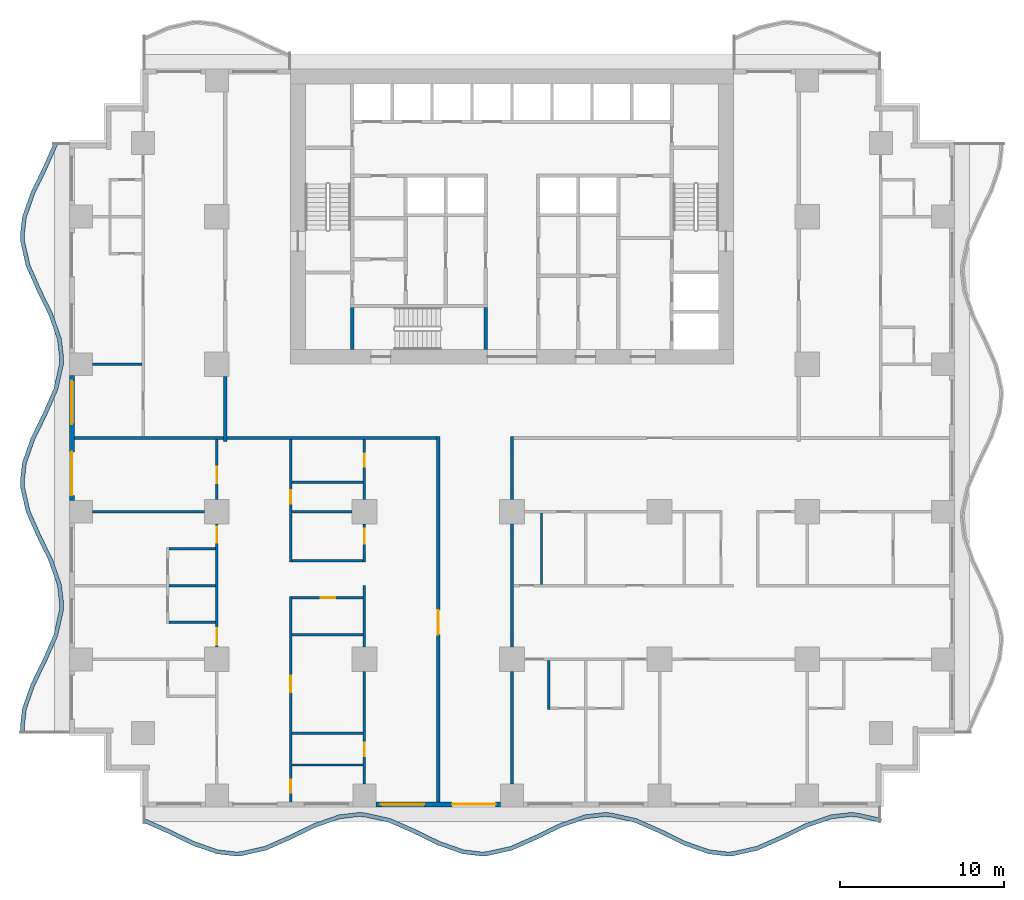
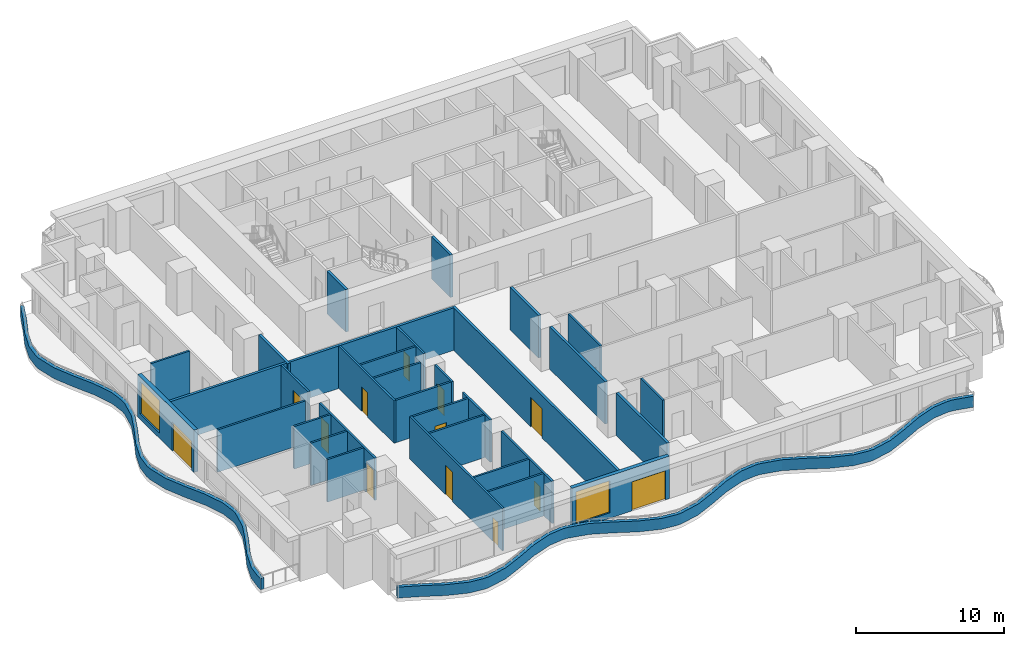
# One storey, part 2 of 14: 35 walls, 13 doors, 2 windows, 15 openings.
"""IFC4 building model written with IfcOpenShell, lengths in metres."""

from ifc_helpers import new_model, si_unit, direction, frame, frame_2d, origin, place, context, subcontext, project, spatial, polyline, rectangle, outline, extrude, material, layer, layer_set, type_object, element, fill, save


model = new_model("IFC4")

# Units and contexts
model_context = context("Model", 3, precision=1e-05, world=origin(), true_north=direction((0.0, 1.0)))
body_context = subcontext(model_context, "Body", "Model", "MODEL_VIEW")
ifc_project = project(units=[si_unit("LENGTHUNIT", "METRE"), si_unit("AREAUNIT", "SQUARE_METRE"), si_unit("VOLUMEUNIT", "CUBIC_METRE"), si_unit("PLANEANGLEUNIT", "RADIAN"), si_unit("MASSUNIT", "GRAM", prefix="KILO")], contexts=[model_context])

# Site, building, storey
site_placement = place(None, origin())
site = spatial("IfcSite", under=ifc_project, at=site_placement, CompositionType="ELEMENT")
building_placement = place(site_placement, origin())
building = spatial("IfcBuilding", under=site, at=building_placement, Name="Orbiselva Terraces", CompositionType="ELEMENT")
storey_placement = place(building_placement, frame((0.0, 0.0, 41.6)))
storey = spatial("IfcBuildingStorey", under=building, at=storey_placement, Name="L10", CompositionType="ELEMENT", Elevation=41.6)

# Walls
ifc_material_1 = material(Name="Concrete C60/75", Category="concrete")
ifc_layer_1 = layer(ifc_material_1, 0.2)
ifc_layer_set_1 = layer_set([ifc_layer_1], Name="Concrete C60/75")
wall_type_1 = type_object("IfcWallType", Name="CORE-WALL-SHEAR-200", PredefinedType="SHEAR", material=ifc_layer_set_1)
for number, where, z_axis, x_axis, name in (
    (1, (-9.75, 5.4, 0.0), (0.0, 0.0, 1.0), (0.0, 1.0, 0.0), "L10 core wall 03"),
    (2, (-1.6, 5.4, 0.0), (0.0, 0.0, 1.0), (0.0, 1.0, 0.0), "L10 core wall 25"),
):
    element("IfcWall", number, at=place(storey_placement, frame(where, z_axis=z_axis, x_axis=x_axis)), inside=storey, type_object=wall_type_1, Name=name, PredefinedType="SHEAR", context=body_context, shape_type="SweptSolid", body=[
        extrude(rectangle(XDim=2.55, YDim=0.2, at=frame_2d((1.275, 0.0))), origin(), (0.0, 0.0, 1.0), 3.5),
    ])
ifc_material_2 = material(Name="Concrete C40/50", Category="concrete")
ifc_layer_2 = layer(ifc_material_2, 0.25)
ifc_layer_set_2 = layer_set([ifc_layer_2], Name="Concrete C40/50")
wall_type_2 = type_object("IfcWallType", Name="ENV-PLANTER-250x900", PredefinedType="USERDEFINED", material=ifc_layer_set_2)
wall_1_placement = place(storey_placement, origin())
element("IfcWall", 3, at=wall_1_placement, inside=storey, type_object=wall_type_2, Name="Balcony planter L10 S", ObjectType="PLANTER", PredefinedType="USERDEFINED", context=body_context, shape_type="SweptSolid", body=[
    extrude(outline(polyline([(-22.5, -23.451472), (-21.0, -24.112279), (-19.5, -24.844789), (-18.0, -25.369208), (-16.875, -25.5), (-16.5, -25.485226), (-15.0, -25.148528), (-13.5, -24.487721), (-12.0, -23.755211), (-10.5, -23.230792), (-9.375, -23.1), (-9.0, -23.114774), (-7.5, -23.451472), (-6.0, -24.112279), (-4.5, -24.844789), (-3.0, -25.369208), (-1.875, -25.5), (-1.5, -25.485226), (0.0, -25.148528), (1.5, -24.487721), (3.0, -23.755211), (4.5, -23.230792), (5.625, -23.1), (6.0, -23.114774), (7.5, -23.451472), (9.0, -24.112279), (10.5, -24.844789), (12.0, -25.369208), (13.125, -25.5), (13.5, -25.485226), (15.0, -25.148528), (16.5, -24.487721), (18.0, -23.755211), (19.5, -23.230792), (20.625, -23.1), (21.0, -23.114774), (22.5, -23.451472), (22.554754, -23.207542), (21.032565, -22.865863), (20.615428, -22.849429), (19.443629, -22.985662), (17.90356, -23.524089), (16.394714, -24.260919), (14.921492, -24.90993), (13.467435, -25.236315), (13.134572, -25.249429), (12.056371, -25.124078), (10.59644, -24.613667), (9.105286, -23.885477), (7.578508, -23.212874), (6.032565, -22.865863), (5.615428, -22.849429), (4.443629, -22.985662), (2.90356, -23.524089), (1.394714, -24.260919), (-0.078508, -24.90993), (-1.532565, -25.236315), (-1.865428, -25.249429), (-2.943629, -25.124078), (-4.40356, -24.613667), (-5.894714, -23.885477), (-7.421492, -23.212874), (-8.967435, -22.865863), (-9.384572, -22.849429), (-10.556371, -22.985662), (-12.09644, -23.524089), (-13.605286, -24.260919), (-15.078508, -24.90993), (-16.532565, -25.236315), (-16.865428, -25.249429), (-17.943629, -25.124078), (-19.40356, -24.613667), (-20.894714, -23.885477), (-22.399212, -23.222689), (-22.5, -23.451472)])), origin(), (0.0, 0.0, 1.0), 0.9),
])
wall_2_placement = place(storey_placement, origin())
element("IfcWall", 4, at=wall_2_placement, inside=storey, type_object=wall_type_2, Name="Balcony planter L10 W", ObjectType="PLANTER", PredefinedType="USERDEFINED", context=body_context, shape_type="SweptSolid", body=[
    extrude(outline(polyline([(-27.951472, 18.0), (-28.612279, 16.5), (-29.344789, 15.0), (-29.869208, 13.5), (-30.0, 12.375), (-29.985226, 12.0), (-29.648528, 10.5), (-28.987721, 9.0), (-28.255211, 7.5), (-27.730792, 6.0), (-27.6, 4.875), (-27.614774, 4.5), (-27.951472, 3.0), (-28.612279, 1.5), (-29.344789, 0.0), (-29.869208, -1.5), (-30.0, -2.625), (-29.985226, -3.0), (-29.648528, -4.5), (-28.987721, -6.0), (-28.255211, -7.5), (-27.730792, -9.0), (-27.6, -10.125), (-27.614774, -10.5), (-27.951472, -12.0), (-28.612279, -13.5), (-29.344789, -15.0), (-29.869208, -16.5), (-30.0, -17.625), (-29.985226, -18.0), (-29.73542, -17.990158), (-29.749429, -17.634572), (-29.624078, -16.556371), (-29.113667, -15.09644), (-28.385477, -13.605286), (-27.712874, -12.078508), (-27.365863, -10.532565), (-27.349429, -10.115428), (-27.485662, -8.943629), (-28.024089, -7.40356), (-28.760919, -5.894714), (-29.40993, -4.421492), (-29.736315, -2.967435), (-29.749429, -2.634572), (-29.624078, -1.556371), (-29.113667, -0.09644), (-28.385477, 1.394714), (-27.712874, 2.921492), (-27.365863, 4.467435), (-27.349429, 4.884572), (-27.485662, 6.056371), (-28.024089, 7.59644), (-28.760919, 9.105286), (-29.40993, 10.578508), (-29.736315, 12.032565), (-29.749429, 12.365428), (-29.624078, 13.443629), (-29.113667, 14.90356), (-28.385477, 16.394714), (-27.722689, 17.899212), (-27.951472, 18.0)])), origin(), (0.0, 0.0, 1.0), 0.9),
])

# Wall, openings, door, window
ifc_material_3 = material(Name="Terracotta cladding on masonry backing", Category="masonry")
ifc_layer_3 = layer(ifc_material_3, 0.3)
ifc_layer_set_3 = layer_set([ifc_layer_3], Name="Terracotta cladding on masonry backing")
wall_type_3 = type_object("IfcWallType", Name="ENV-WALL-TERRACOTTA-300", PredefinedType="SOLIDWALL", material=ifc_layer_set_3)
wall_3_placement = place(storey_placement, frame((-0.7, -22.35, 0.0), z_axis=(0.0, 0.0, 1.0), x_axis=(-1.0, 0.0, 0.0)))
wall_3 = element("IfcWall", 5, at=wall_3_placement, inside=storey, type_object=wall_type_3, Name="Facade wall L10 S", PredefinedType="SOLIDWALL", context=body_context, shape_type="SweptSolid", body=[
    extrude(rectangle(XDim=7.6, YDim=0.3, at=frame_2d((3.8, 0.0))), origin(), (0.0, 0.0, 1.0), 3.5),
])
opening_1_placement = place(wall_3_placement, frame((4.65, 0.0, 0.45)))
opening_1 = element("IfcOpeningElement", 6, at=opening_1_placement, cuts=wall_3, Name="Opening WN3", PredefinedType="OPENING", context=body_context, shape_type="SweptSolid", body=[
    extrude(rectangle(XDim=2.65, YDim=2.65, at=frame_2d((1.325, 1.325))), frame((0.0, 0.16, 0.0), z_axis=(0.0, -1.0, 0.0), x_axis=(1.0, 0.0, 0.0)), (0.0, 0.0, 1.0), 0.32),
])
opening_2_placement = place(wall_3_placement, frame((0.3, 0.0, 0.0)))
opening_2 = element("IfcOpeningElement", 7, at=opening_2_placement, cuts=wall_3, Name="Opening Z1-C-E14", PredefinedType="OPENING", context=body_context, shape_type="SweptSolid", body=[
    extrude(rectangle(XDim=2.65, YDim=2.4, at=frame_2d((1.325, 1.2))), frame((0.0, 0.16, 0.0), z_axis=(0.0, -1.0, 0.0), x_axis=(1.0, 0.0, 0.0)), (0.0, 0.0, 1.0), 0.32),
])
ifc_material_4 = material(Name="Clear low-e glazing in aluminium frame", Category="aluminium")
door_type_1 = type_object("IfcDoorType", Name="BALCONY DOOR 2650 X 2400", OperationType="DOUBLE_DOOR_SLIDING", PredefinedType="DOOR", material=ifc_material_4)
door_1_placement = place(opening_2_placement, origin())
door_1 = element("IfcDoor", 8, at=door_1_placement, inside=storey, type_object=door_type_1, Name="Z1-C-E14", OperationType="SINGLE_SWING_LEFT", OverallHeight=2.4, OverallWidth=2.65, PredefinedType="DOOR", context=body_context, shape_type="SweptSolid", body=[
    extrude(rectangle(XDim=2.65, YDim=2.4, at=frame_2d((1.325, 1.2))), frame((0.0, 0.025, 0.0), z_axis=(0.0, -1.0, 0.0), x_axis=(1.0, 0.0, 0.0)), (0.0, 0.0, 1.0), 0.05),
])
fill(opening_2, door_1)
window_type = type_object("IfcWindowType", Name="WINDOW 2650 X 2650 S450", PartitioningType="TRIPLE_PANEL_VERTICAL", PredefinedType="WINDOW", material=ifc_material_4)
window_1_placement = place(opening_1_placement, origin())
window_1 = element("IfcWindow", 9, at=window_1_placement, inside=storey, type_object=window_type, Name="Window L10 S", OverallHeight=2.65, OverallWidth=2.65, PartitioningType="SINGLE_PANEL", PredefinedType="WINDOW", context=body_context, shape_type="SweptSolid", body=[
    extrude(rectangle(XDim=2.65, YDim=2.65, at=frame_2d((1.325, 1.325))), frame((0.0, 0.03, 0.0), z_axis=(0.0, -1.0, 0.0), x_axis=(1.0, 0.0, 0.0)), (0.0, 0.0, 1.0), 0.06),
])
fill(opening_1, window_1)

wall_4_placement = place(storey_placement, frame((-26.85, -3.8, 0.0), z_axis=(0.0, 0.0, 1.0), x_axis=(0.0, 1.0, 0.0)))
wall_4 = element("IfcWall", 10, at=wall_4_placement, inside=storey, type_object=wall_type_3, Name="Facade wall L10 W", PredefinedType="SOLIDWALL", context=body_context, shape_type="SweptSolid", body=[
    extrude(rectangle(XDim=7.6, YDim=0.3, at=frame_2d((3.8, 0.0))), origin(), (0.0, 0.0, 1.0), 3.5),
])
opening_3_placement = place(wall_4_placement, frame((4.65, 0.0, 0.45)))
opening_3 = element("IfcOpeningElement", 11, at=opening_3_placement, cuts=wall_4, Name="Opening WN3", PredefinedType="OPENING", context=body_context, shape_type="SweptSolid", body=[
    extrude(rectangle(XDim=2.65, YDim=2.65, at=frame_2d((1.325, 1.325))), frame((0.0, 0.16, 0.0), z_axis=(0.0, -1.0, 0.0), x_axis=(1.0, 0.0, 0.0)), (0.0, 0.0, 1.0), 0.32),
])
opening_4_placement = place(wall_4_placement, frame((0.3, 0.0, 0.0)))
opening_4 = element("IfcOpeningElement", 12, at=opening_4_placement, cuts=wall_4, Name="Opening Z1-C-E23", PredefinedType="OPENING", context=body_context, shape_type="SweptSolid", body=[
    extrude(rectangle(XDim=2.65, YDim=2.4, at=frame_2d((1.325, 1.2))), frame((0.0, 0.16, 0.0), z_axis=(0.0, -1.0, 0.0), x_axis=(1.0, 0.0, 0.0)), (0.0, 0.0, 1.0), 0.32),
])
door_2_placement = place(opening_4_placement, origin())
door_2 = element("IfcDoor", 13, at=door_2_placement, inside=storey, type_object=door_type_1, Name="Z1-C-E23", OperationType="SINGLE_SWING_LEFT", OverallHeight=2.4, OverallWidth=2.65, PredefinedType="DOOR", context=body_context, shape_type="SweptSolid", body=[
    extrude(rectangle(XDim=2.65, YDim=2.4, at=frame_2d((1.325, 1.2))), frame((0.0, 0.025, 0.0), z_axis=(0.0, -1.0, 0.0), x_axis=(1.0, 0.0, 0.0)), (0.0, 0.0, 1.0), 0.05),
])
fill(opening_4, door_2)
window_2_placement = place(opening_3_placement, origin())
window_2 = element("IfcWindow", 14, at=window_2_placement, inside=storey, type_object=window_type, Name="Window L10 W", OverallHeight=2.65, OverallWidth=2.65, PartitioningType="SINGLE_PANEL", PredefinedType="WINDOW", context=body_context, shape_type="SweptSolid", body=[
    extrude(rectangle(XDim=2.65, YDim=2.65, at=frame_2d((1.325, 1.325))), frame((0.0, 0.03, 0.0), z_axis=(0.0, -1.0, 0.0), x_axis=(1.0, 0.0, 0.0)), (0.0, 0.0, 1.0), 0.06),
])
fill(opening_3, window_2)

# Walls
ifc_material_5 = material(Name="Plasterboard on steel stud partition", Category="steel")
ifc_layer_4 = layer(ifc_material_5, 0.2)
ifc_layer_set_4 = layer_set([ifc_layer_4], Name="Plasterboard on steel stud partition")
wall_type_4 = type_object("IfcWallType", Name="UNIT-ENTRANCE-WALL-200", PredefinedType="PARTITIONING", material=ifc_layer_set_4)
wall_5_placement = place(storey_placement, frame((-17.4, 0.0, 0.0), z_axis=(0.0, 0.0, 1.0), x_axis=(1.0, 0.0, 0.0)))
element("IfcWall", 15, at=wall_5_placement, inside=storey, type_object=wall_type_4, Name="PARTITION L10-027", PredefinedType="PARTITIONING", context=body_context, shape_type="SweptSolid", body=[
    extrude(rectangle(XDim=12.8, YDim=0.2, at=frame_2d((6.4, 0.0))), origin(), (0.0, 0.0, 1.0), 3.5),
])
wall_6_placement = place(storey_placement, frame((-17.5, -0.2, 0.0), z_axis=(0.0, 0.0, 1.0), x_axis=(0.0, 1.0, 0.0)))
element("IfcWall", 16, at=wall_6_placement, inside=storey, type_object=wall_type_4, Name="PARTITION L10-048", PredefinedType="PARTITIONING", context=body_context, shape_type="SweptSolid", body=[
    extrude(rectangle(XDim=3.95, YDim=0.2, at=frame_2d((1.975, 0.0))), origin(), (0.0, 0.0, 1.0), 3.5),
])

# Wall, opening, door
wall_7_placement = place(storey_placement, frame((-4.5, -22.2, 0.0), z_axis=(0.0, 0.0, 1.0), x_axis=(0.0, 1.0, 0.0)))
wall_7 = element("IfcWall", 17, at=wall_7_placement, inside=storey, type_object=wall_type_4, Name="PARTITION L10-057", PredefinedType="PARTITIONING", context=body_context, shape_type="SweptSolid", body=[
    extrude(rectangle(XDim=22.3, YDim=0.2, at=frame_2d((11.15, 0.0))), origin(), (0.0, 0.0, 1.0), 3.5),
])
opening_5_placement = place(wall_7_placement, frame((10.2, 0.0, 0.0)))
opening_5 = element("IfcOpeningElement", 18, at=opening_5_placement, cuts=wall_7, Name="Opening Z1-C-13", PredefinedType="OPENING", context=body_context, shape_type="SweptSolid", body=[
    extrude(rectangle(XDim=1.5, YDim=2.4, at=frame_2d((0.75, 1.2))), frame((0.0, 0.11, 0.0), z_axis=(0.0, -1.0, 0.0), x_axis=(1.0, 0.0, 0.0)), (0.0, 0.0, 1.0), 0.22),
])
ifc_material_6 = material(Name="Painted timber door leaf", Category="wood")
door_type_2 = type_object("IfcDoorType", Name="ENTRANCE DOUBLE DOOR 1500", OperationType="NOTDEFINED", PredefinedType="DOOR", material=ifc_material_6)
door_3_placement = place(opening_5_placement, origin())
door_3 = element("IfcDoor", 19, at=door_3_placement, inside=storey, type_object=door_type_2, Name="Z1-C-13", OperationType="DOUBLE_DOOR_SINGLE_SWING", OverallHeight=2.4, OverallWidth=1.5, PredefinedType="DOOR", context=body_context, shape_type="SweptSolid", body=[
    extrude(rectangle(XDim=1.5, YDim=2.4, at=frame_2d((0.75, 1.2))), frame((0.0, 0.025, 0.0), z_axis=(0.0, -1.0, 0.0), x_axis=(1.0, 0.0, 0.0)), (0.0, 0.0, 1.0), 0.05),
])
fill(opening_5, door_3)

# Walls
wall_8_placement = place(storey_placement, frame((0.0, -21.1, 0.0), z_axis=(0.0, 0.0, 1.0), x_axis=(0.0, 1.0, 0.0)))
element("IfcWall", 20, at=wall_8_placement, inside=storey, type_object=wall_type_4, Name="PARTITION L10-058", PredefinedType="PARTITIONING", context=body_context, shape_type="SweptSolid", body=[
    extrude(rectangle(XDim=6.85, YDim=0.2, at=frame_2d((3.425, 0.0))), origin(), (0.0, 0.0, 1.0), 3.5),
])
wall_9_placement = place(storey_placement, frame((0.0, -12.75, 0.0), z_axis=(0.0, 0.0, 1.0), x_axis=(0.0, 1.0, 0.0)))
element("IfcWall", 21, at=wall_9_placement, inside=storey, type_object=wall_type_4, Name="PARTITION L10-059", PredefinedType="PARTITIONING", context=body_context, shape_type="SweptSolid", body=[
    extrude(rectangle(XDim=7.5, YDim=0.2, at=frame_2d((3.75, 0.0))), origin(), (0.0, 0.0, 1.0), 3.5),
])
wall_10_placement = place(storey_placement, frame((0.0, -3.75, 0.0), z_axis=(0.0, 0.0, 1.0), x_axis=(0.0, 1.0, 0.0)))
element("IfcWall", 22, at=wall_10_placement, inside=storey, type_object=wall_type_4, Name="PARTITION L10-060", PredefinedType="PARTITIONING", context=body_context, shape_type="SweptSolid", body=[
    extrude(rectangle(XDim=3.85, YDim=0.2, at=frame_2d((1.925, 0.0))), origin(), (0.0, 0.0, 1.0), 3.5),
])
ifc_layer_5 = layer(ifc_material_5, 0.15)
ifc_layer_set_5 = layer_set([ifc_layer_5], Name="Plasterboard on steel stud partition")
wall_type_5 = type_object("IfcWallType", Name="UNIT-PARTITION-150", PredefinedType="PARTITIONING", material=ifc_layer_set_5)
for number, where, z_axis, x_axis, name in (
    (23, (-13.425, -19.95, 0.0), (0.0, 0.0, 1.0), (1.0, 0.0, 0.0), "PARTITION L10-001"),
    (24, (-13.425, -18.0, 0.0), (0.0, 0.0, 1.0), (1.0, 0.0, 0.0), "PARTITION L10-002"),
    (25, (-13.425, -12.0, 0.0), (0.0, 0.0, 1.0), (1.0, 0.0, 0.0), "PARTITION L10-011"),
):
    element("IfcWall", number, at=place(storey_placement, frame(where, z_axis=z_axis, x_axis=x_axis)), inside=storey, type_object=wall_type_5, Name=name, PredefinedType="PARTITIONING", context=body_context, shape_type="SweptSolid", body=[
        extrude(rectangle(XDim=4.35, YDim=0.15, at=frame_2d((2.175, 0.0))), origin(), (0.0, 0.0, 1.0), 3.5),
    ])
wall_11_placement = place(storey_placement, frame((-20.925, -11.25, 0.0), z_axis=(0.0, 0.0, 1.0), x_axis=(1.0, 0.0, 0.0)))
element("IfcWall", 26, at=wall_11_placement, inside=storey, type_object=wall_type_5, Name="PARTITION L10-012", PredefinedType="PARTITIONING", context=body_context, shape_type="SweptSolid", body=[
    extrude(rectangle(XDim=2.85, YDim=0.15, at=frame_2d((1.425, 0.0))), origin(), (0.0, 0.0, 1.0), 3.5),
])

# Wall, opening, door
wall_12_placement = place(storey_placement, frame((-9.075, -9.75, 0.0), z_axis=(0.0, 0.0, 1.0), x_axis=(-1.0, 0.0, 0.0)))
wall_12 = element("IfcWall", 27, at=wall_12_placement, inside=storey, type_object=wall_type_5, Name="PARTITION L10-013", PredefinedType="PARTITIONING", context=body_context, shape_type="SweptSolid", body=[
    extrude(rectangle(XDim=4.35, YDim=0.15, at=frame_2d((2.175, 0.0))), origin(), (0.0, 0.0, 1.0), 3.5),
])
opening_6_placement = place(wall_12_placement, frame((1.7, 0.0, 0.0)))
opening_6 = element("IfcOpeningElement", 28, at=opening_6_placement, cuts=wall_12, Name="Opening Z1-C-17", PredefinedType="OPENING", context=body_context, shape_type="SweptSolid", body=[
    extrude(rectangle(XDim=0.9, YDim=2.1, at=frame_2d((0.45, 1.05))), frame((0.0, 0.085, 0.0), z_axis=(0.0, -1.0, 0.0), x_axis=(1.0, 0.0, 0.0)), (0.0, 0.0, 1.0), 0.17),
])
door_type_3 = type_object("IfcDoorType", Name="BATH DOOR 900", OperationType="NOTDEFINED", PredefinedType="DOOR", material=ifc_material_6)
door_4_placement = place(opening_6_placement, origin())
door_4 = element("IfcDoor", 29, at=door_4_placement, inside=storey, type_object=door_type_3, Name="Z1-C-17", OperationType="SINGLE_SWING_LEFT", OverallHeight=2.1, OverallWidth=0.9, PredefinedType="DOOR", context=body_context, shape_type="SweptSolid", body=[
    extrude(rectangle(XDim=0.9, YDim=2.1, at=frame_2d((0.45, 1.05))), frame((0.0, 0.025, 0.0), z_axis=(0.0, -1.0, 0.0), x_axis=(1.0, 0.0, 0.0)), (0.0, 0.0, 1.0), 0.05),
])
fill(opening_6, door_4)

# Walls
wall_13_placement = place(storey_placement, frame((-20.925, -9.0, 0.0), z_axis=(0.0, 0.0, 1.0), x_axis=(1.0, 0.0, 0.0)))
element("IfcWall", 30, at=wall_13_placement, inside=storey, type_object=wall_type_5, Name="PARTITION L10-015", PredefinedType="PARTITIONING", context=body_context, shape_type="SweptSolid", body=[
    extrude(rectangle(XDim=2.85, YDim=0.15, at=frame_2d((1.425, 0.0))), origin(), (0.0, 0.0, 1.0), 3.5),
])
wall_14_placement = place(storey_placement, frame((-13.425, -7.5, 0.0), z_axis=(0.0, 0.0, 1.0), x_axis=(1.0, 0.0, 0.0)))
element("IfcWall", 31, at=wall_14_placement, inside=storey, type_object=wall_type_5, Name="PARTITION L10-018", PredefinedType="PARTITIONING", context=body_context, shape_type="SweptSolid", body=[
    extrude(rectangle(XDim=4.35, YDim=0.15, at=frame_2d((2.175, 0.0))), origin(), (0.0, 0.0, 1.0), 3.5),
])
wall_15_placement = place(storey_placement, frame((-20.925, -6.75, 0.0), z_axis=(0.0, 0.0, 1.0), x_axis=(1.0, 0.0, 0.0)))
element("IfcWall", 32, at=wall_15_placement, inside=storey, type_object=wall_type_5, Name="PARTITION L10-019", PredefinedType="PARTITIONING", context=body_context, shape_type="SweptSolid", body=[
    extrude(rectangle(XDim=2.85, YDim=0.15, at=frame_2d((1.425, 0.0))), origin(), (0.0, 0.0, 1.0), 3.5),
])
wall_16_placement = place(storey_placement, frame((-25.6, -4.5, 0.0), z_axis=(0.0, 0.0, 1.0), x_axis=(1.0, 0.0, 0.0)))
element("IfcWall", 33, at=wall_16_placement, inside=storey, type_object=wall_type_5, Name="PARTITION L10-020", PredefinedType="PARTITIONING", context=body_context, shape_type="SweptSolid", body=[
    extrude(rectangle(XDim=6.85, YDim=0.15, at=frame_2d((3.425, 0.0))), origin(), (0.0, 0.0, 1.0), 3.5),
])
wall_17_placement = place(storey_placement, frame((-13.425, -4.5, 0.0), z_axis=(0.0, 0.0, 1.0), x_axis=(1.0, 0.0, 0.0)))
element("IfcWall", 34, at=wall_17_placement, inside=storey, type_object=wall_type_5, Name="PARTITION L10-021", PredefinedType="PARTITIONING", context=body_context, shape_type="SweptSolid", body=[
    extrude(rectangle(XDim=3.675, YDim=0.15, at=frame_2d((1.8375, 0.0))), origin(), (0.0, 0.0, 1.0), 3.5),
])
wall_18_placement = place(storey_placement, frame((-13.425, -2.7, 0.0), z_axis=(0.0, 0.0, 1.0), x_axis=(1.0, 0.0, 0.0)))
element("IfcWall", 35, at=wall_18_placement, inside=storey, type_object=wall_type_5, Name="PARTITION L10-026", PredefinedType="PARTITIONING", context=body_context, shape_type="SweptSolid", body=[
    extrude(rectangle(XDim=4.35, YDim=0.15, at=frame_2d((2.175, 0.0))), origin(), (0.0, 0.0, 1.0), 3.5),
])
wall_19_placement = place(storey_placement, frame((-25.6, 4.5, 0.0), z_axis=(0.0, 0.0, 1.0), x_axis=(1.0, 0.0, 0.0)))
element("IfcWall", 36, at=wall_19_placement, inside=storey, type_object=wall_type_5, Name="PARTITION L10-031", PredefinedType="PARTITIONING", context=body_context, shape_type="SweptSolid", body=[
    extrude(rectangle(XDim=3.025, YDim=0.15, at=frame_2d((1.5125, 0.0))), origin(), (0.0, 0.0, 1.0), 3.5),
])

# Wall, openings, doors
wall_20_placement = place(storey_placement, frame((-18.0, -12.75, 0.0), z_axis=(0.0, 0.0, 1.0), x_axis=(0.0, 1.0, 0.0)))
wall_20 = element("IfcWall", 37, at=wall_20_placement, inside=storey, type_object=wall_type_5, Name="PARTITION L10-046", PredefinedType="PARTITIONING", context=body_context, shape_type="SweptSolid", body=[
    extrude(rectangle(XDim=7.5, YDim=0.15, at=frame_2d((3.75, 0.0))), origin(), (0.0, 0.0, 1.0), 3.5),
])
opening_7_placement = place(wall_20_placement, frame((0.15, 0.0, 0.0)))
opening_7 = element("IfcOpeningElement", 38, at=opening_7_placement, cuts=wall_20, Name="Opening Z1-C-23", PredefinedType="OPENING", context=body_context, shape_type="SweptSolid", body=[
    extrude(rectangle(XDim=1.0, YDim=2.4, at=frame_2d((0.5, 1.2))), frame((0.0, 0.085, 0.0), z_axis=(0.0, -1.0, 0.0), x_axis=(1.0, 0.0, 0.0)), (0.0, 0.0, 1.0), 0.17),
])
opening_8_placement = place(wall_20_placement, frame((6.35, 0.0, 0.0)))
opening_8 = element("IfcOpeningElement", 39, at=opening_8_placement, cuts=wall_20, Name="Opening Z1-C-25", PredefinedType="OPENING", context=body_context, shape_type="SweptSolid", body=[
    extrude(rectangle(XDim=1.0, YDim=2.4, at=frame_2d((0.5, 1.2))), frame((0.0, 0.085, 0.0), z_axis=(0.0, -1.0, 0.0), x_axis=(1.0, 0.0, 0.0)), (0.0, 0.0, 1.0), 0.17),
])
door_type_4 = type_object("IfcDoorType", Name="ROOM DOOR 1000", OperationType="NOTDEFINED", PredefinedType="DOOR", material=ifc_material_6)
door_5_placement = place(opening_7_placement, origin())
door_5 = element("IfcDoor", 40, at=door_5_placement, inside=storey, type_object=door_type_4, Name="Z1-C-23", OperationType="SINGLE_SWING_LEFT", OverallHeight=2.4, OverallWidth=1.0, PredefinedType="DOOR", context=body_context, shape_type="SweptSolid", body=[
    extrude(rectangle(XDim=1.0, YDim=2.4, at=frame_2d((0.5, 1.2))), frame((0.0, 0.025, 0.0), z_axis=(0.0, -1.0, 0.0), x_axis=(1.0, 0.0, 0.0)), (0.0, 0.0, 1.0), 0.05),
])
fill(opening_7, door_5)
door_6_placement = place(opening_8_placement, origin())
door_6 = element("IfcDoor", 41, at=door_6_placement, inside=storey, type_object=door_type_4, Name="Z1-C-25", OperationType="SINGLE_SWING_RIGHT", OverallHeight=2.4, OverallWidth=1.0, PredefinedType="DOOR", context=body_context, shape_type="SweptSolid", body=[
    extrude(rectangle(XDim=1.0, YDim=2.4, at=frame_2d((0.5, 1.2))), frame((0.0, 0.025, 0.0), z_axis=(0.0, -1.0, 0.0), x_axis=(1.0, 0.0, 0.0)), (0.0, 0.0, 1.0), 0.05),
])
fill(opening_8, door_6)

# Wall, opening, door
wall_21_placement = place(storey_placement, frame((-18.0, -3.75, 0.0), z_axis=(0.0, 0.0, 1.0), x_axis=(0.0, 1.0, 0.0)))
wall_21 = element("IfcWall", 42, at=wall_21_placement, inside=storey, type_object=wall_type_5, Name="PARTITION L10-047", PredefinedType="PARTITIONING", context=body_context, shape_type="SweptSolid", body=[
    extrude(rectangle(XDim=3.65, YDim=0.15, at=frame_2d((1.825, 0.0))), origin(), (0.0, 0.0, 1.0), 3.5),
])
opening_9_placement = place(wall_21_placement, frame((1.0, 0.0, 0.0)))
opening_9 = element("IfcOpeningElement", 43, at=opening_9_placement, cuts=wall_21, Name="Opening Z1-C-27", PredefinedType="OPENING", context=body_context, shape_type="SweptSolid", body=[
    extrude(rectangle(XDim=1.0, YDim=2.4, at=frame_2d((0.5, 1.2))), frame((0.0, 0.085, 0.0), z_axis=(0.0, -1.0, 0.0), x_axis=(1.0, 0.0, 0.0)), (0.0, 0.0, 1.0), 0.17),
])
door_7_placement = place(opening_9_placement, origin())
door_7 = element("IfcDoor", 44, at=door_7_placement, inside=storey, type_object=door_type_4, Name="Z1-C-27", OperationType="SINGLE_SWING_LEFT", OverallHeight=2.4, OverallWidth=1.0, PredefinedType="DOOR", context=body_context, shape_type="SweptSolid", body=[
    extrude(rectangle(XDim=1.0, YDim=2.4, at=frame_2d((0.5, 1.2))), frame((0.0, 0.025, 0.0), z_axis=(0.0, -1.0, 0.0), x_axis=(1.0, 0.0, 0.0)), (0.0, 0.0, 1.0), 0.05),
])
fill(opening_9, door_7)

# Wall, openings, doors
wall_22_placement = place(storey_placement, frame((-13.5, -9.675, 0.0), z_axis=(0.0, 0.0, 1.0), x_axis=(0.0, -1.0, 0.0)))
wall_22 = element("IfcWall", 45, at=wall_22_placement, inside=storey, type_object=wall_type_5, Name="PARTITION L10-051", PredefinedType="PARTITIONING", context=body_context, shape_type="SweptSolid", body=[
    extrude(rectangle(XDim=12.525, YDim=0.15, at=frame_2d((6.2625, 0.0))), origin(), (0.0, 0.0, 1.0), 3.5),
])
opening_10_placement = place(wall_22_placement, frame((11.175, 0.0, 0.0)))
opening_10 = element("IfcOpeningElement", 46, at=opening_10_placement, cuts=wall_22, Name="Opening Z1-C-14", PredefinedType="OPENING", context=body_context, shape_type="SweptSolid", body=[
    extrude(rectangle(XDim=0.8, YDim=2.0, at=frame_2d((0.4, 1.0))), frame((0.0, 0.085, 0.0), z_axis=(0.0, -1.0, 0.0), x_axis=(1.0, 0.0, 0.0)), (0.0, 0.0, 1.0), 0.17),
])
opening_11_placement = place(wall_22_placement, frame((4.825, 0.0, 0.0)))
opening_11 = element("IfcOpeningElement", 47, at=opening_11_placement, cuts=wall_22, Name="Opening Z1-C-16", PredefinedType="OPENING", context=body_context, shape_type="SweptSolid", body=[
    extrude(rectangle(XDim=1.0, YDim=2.4, at=frame_2d((0.5, 1.2))), frame((0.0, 0.085, 0.0), z_axis=(0.0, -1.0, 0.0), x_axis=(1.0, 0.0, 0.0)), (0.0, 0.0, 1.0), 0.17),
])
door_8_placement = place(opening_11_placement, origin())
door_8 = element("IfcDoor", 48, at=door_8_placement, inside=storey, type_object=door_type_4, Name="Z1-C-16", OperationType="SINGLE_SWING_LEFT", OverallHeight=2.4, OverallWidth=1.0, PredefinedType="DOOR", context=body_context, shape_type="SweptSolid", body=[
    extrude(rectangle(XDim=1.0, YDim=2.4, at=frame_2d((0.5, 1.2))), frame((0.0, 0.025, 0.0), z_axis=(0.0, -1.0, 0.0), x_axis=(1.0, 0.0, 0.0)), (0.0, 0.0, 1.0), 0.05),
])
fill(opening_11, door_8)
door_type_5 = type_object("IfcDoorType", Name="STORE DOOR 800", OperationType="NOTDEFINED", PredefinedType="DOOR", material=ifc_material_6)
door_9_placement = place(opening_10_placement, origin())
door_9 = element("IfcDoor", 49, at=door_9_placement, inside=storey, type_object=door_type_5, Name="Z1-C-14", OperationType="SINGLE_SWING_RIGHT", OverallHeight=2.0, OverallWidth=0.8, PredefinedType="DOOR", context=body_context, shape_type="SweptSolid", body=[
    extrude(rectangle(XDim=0.8, YDim=2.0, at=frame_2d((0.4, 1.0))), frame((0.0, 0.025, 0.0), z_axis=(0.0, -1.0, 0.0), x_axis=(1.0, 0.0, 0.0)), (0.0, 0.0, 1.0), 0.05),
])
fill(opening_10, door_9)

# Wall, opening, door
wall_23_placement = place(storey_placement, frame((-13.5, -0.1, 0.0), z_axis=(0.0, 0.0, 1.0), x_axis=(0.0, -1.0, 0.0)))
wall_23 = element("IfcWall", 50, at=wall_23_placement, inside=storey, type_object=wall_type_5, Name="PARTITION L10-052", PredefinedType="PARTITIONING", context=body_context, shape_type="SweptSolid", body=[
    extrude(rectangle(XDim=7.475, YDim=0.15, at=frame_2d((3.7375, 0.0))), origin(), (0.0, 0.0, 1.0), 3.5),
])
opening_12_placement = place(wall_23_placement, frame((3.1, 0.0, 0.0)))
opening_12 = element("IfcOpeningElement", 51, at=opening_12_placement, cuts=wall_23, Name="Opening Z1-C-19", PredefinedType="OPENING", context=body_context, shape_type="SweptSolid", body=[
    extrude(rectangle(XDim=0.8, YDim=2.0, at=frame_2d((0.4, 1.0))), frame((0.0, 0.085, 0.0), z_axis=(0.0, -1.0, 0.0), x_axis=(1.0, 0.0, 0.0)), (0.0, 0.0, 1.0), 0.17),
])
door_10_placement = place(opening_12_placement, origin())
door_10 = element("IfcDoor", 52, at=door_10_placement, inside=storey, type_object=door_type_5, Name="Z1-C-19", OperationType="SINGLE_SWING_LEFT", OverallHeight=2.0, OverallWidth=0.8, PredefinedType="DOOR", context=body_context, shape_type="SweptSolid", body=[
    extrude(rectangle(XDim=0.8, YDim=2.0, at=frame_2d((0.4, 1.0))), frame((0.0, 0.025, 0.0), z_axis=(0.0, -1.0, 0.0), x_axis=(1.0, 0.0, 0.0)), (0.0, 0.0, 1.0), 0.05),
])
fill(opening_12, door_10)

wall_24_placement = place(storey_placement, frame((-9.0, -21.1, 0.0), z_axis=(0.0, 0.0, 1.0), x_axis=(0.0, 1.0, 0.0)))
wall_24 = element("IfcWall", 53, at=wall_24_placement, inside=storey, type_object=wall_type_5, Name="PARTITION L10-053", PredefinedType="PARTITIONING", context=body_context, shape_type="SweptSolid", body=[
    extrude(rectangle(XDim=6.85, YDim=0.15, at=frame_2d((3.425, 0.0))), origin(), (0.0, 0.0, 1.0), 3.5),
])
opening_13_placement = place(wall_24_placement, frame((1.7, 0.0, 0.0)))
opening_13 = element("IfcOpeningElement", 54, at=opening_13_placement, cuts=wall_24, Name="Opening Z1-C-15", PredefinedType="OPENING", context=body_context, shape_type="SweptSolid", body=[
    extrude(rectangle(XDim=0.8, YDim=2.0, at=frame_2d((0.4, 1.0))), frame((0.0, 0.085, 0.0), z_axis=(0.0, -1.0, 0.0), x_axis=(1.0, 0.0, 0.0)), (0.0, 0.0, 1.0), 0.17),
])
door_11_placement = place(opening_13_placement, origin())
door_11 = element("IfcDoor", 55, at=door_11_placement, inside=storey, type_object=door_type_5, Name="Z1-C-15", OperationType="SINGLE_SWING_LEFT", OverallHeight=2.0, OverallWidth=0.8, PredefinedType="DOOR", context=body_context, shape_type="SweptSolid", body=[
    extrude(rectangle(XDim=0.8, YDim=2.0, at=frame_2d((0.4, 1.0))), frame((0.0, 0.025, 0.0), z_axis=(0.0, -1.0, 0.0), x_axis=(1.0, 0.0, 0.0)), (0.0, 0.0, 1.0), 0.05),
])
fill(opening_13, door_11)

# Wall
wall_25_placement = place(storey_placement, frame((-9.0, -12.75, 0.0), z_axis=(0.0, 0.0, 1.0), x_axis=(0.0, 1.0, 0.0)))
element("IfcWall", 56, at=wall_25_placement, inside=storey, type_object=wall_type_5, Name="PARTITION L10-054", PredefinedType="PARTITIONING", context=body_context, shape_type="SweptSolid", body=[
    extrude(rectangle(XDim=3.75, YDim=0.15, at=frame_2d((1.875, 0.0))), origin(), (0.0, 0.0, 1.0), 3.5),
])

# Wall, opening, door
wall_26_placement = place(storey_placement, frame((-9.0, -7.575, 0.0), z_axis=(0.0, 0.0, 1.0), x_axis=(0.0, 1.0, 0.0)))
wall_26 = element("IfcWall", 57, at=wall_26_placement, inside=storey, type_object=wall_type_5, Name="PARTITION L10-055", PredefinedType="PARTITIONING", context=body_context, shape_type="SweptSolid", body=[
    extrude(rectangle(XDim=2.325, YDim=0.15, at=frame_2d((1.1625, 0.0))), origin(), (0.0, 0.0, 1.0), 3.5),
])
opening_14_placement = place(wall_26_placement, frame((1.125, 0.0, 0.0)))
opening_14 = element("IfcOpeningElement", 58, at=opening_14_placement, cuts=wall_26, Name="Opening Z1-C-18", PredefinedType="OPENING", context=body_context, shape_type="SweptSolid", body=[
    extrude(rectangle(XDim=0.9, YDim=2.1, at=frame_2d((0.45, 1.05))), frame((0.0, 0.085, 0.0), z_axis=(0.0, -1.0, 0.0), x_axis=(1.0, 0.0, 0.0)), (0.0, 0.0, 1.0), 0.17),
])
door_type_6 = type_object("IfcDoorType", Name="SERVICE DOOR 900", OperationType="NOTDEFINED", PredefinedType="DOOR", material=ifc_material_6)
door_12_placement = place(opening_14_placement, origin())
door_12 = element("IfcDoor", 59, at=door_12_placement, inside=storey, type_object=door_type_6, Name="Z1-C-18", OperationType="SINGLE_SWING_RIGHT", OverallHeight=2.1, OverallWidth=0.9, PredefinedType="DOOR", context=body_context, shape_type="SweptSolid", body=[
    extrude(rectangle(XDim=0.9, YDim=2.1, at=frame_2d((0.45, 1.05))), frame((0.0, 0.025, 0.0), z_axis=(0.0, -1.0, 0.0), x_axis=(1.0, 0.0, 0.0)), (0.0, 0.0, 1.0), 0.05),
])
fill(opening_14, door_12)

wall_27_placement = place(storey_placement, frame((-9.0, -3.75, 0.0), z_axis=(0.0, 0.0, 1.0), x_axis=(0.0, 1.0, 0.0)))
wall_27 = element("IfcWall", 60, at=wall_27_placement, inside=storey, type_object=wall_type_5, Name="PARTITION L10-056", PredefinedType="PARTITIONING", context=body_context, shape_type="SweptSolid", body=[
    extrude(rectangle(XDim=3.65, YDim=0.15, at=frame_2d((1.825, 0.0))), origin(), (0.0, 0.0, 1.0), 3.5),
])
opening_15_placement = place(wall_27_placement, frame((2.0, 0.0, 0.0)))
opening_15 = element("IfcOpeningElement", 61, at=opening_15_placement, cuts=wall_27, Name="Opening Z1-C-20", PredefinedType="OPENING", context=body_context, shape_type="SweptSolid", body=[
    extrude(rectangle(XDim=0.8, YDim=2.0, at=frame_2d((0.4, 1.0))), frame((0.0, 0.085, 0.0), z_axis=(0.0, -1.0, 0.0), x_axis=(1.0, 0.0, 0.0)), (0.0, 0.0, 1.0), 0.17),
])
door_13_placement = place(opening_15_placement, origin())
door_13 = element("IfcDoor", 62, at=door_13_placement, inside=storey, type_object=door_type_5, Name="Z1-C-20", OperationType="SINGLE_SWING_RIGHT", OverallHeight=2.0, OverallWidth=0.8, PredefinedType="DOOR", context=body_context, shape_type="SweptSolid", body=[
    extrude(rectangle(XDim=0.8, YDim=2.0, at=frame_2d((0.4, 1.0))), frame((0.0, 0.025, 0.0), z_axis=(0.0, -1.0, 0.0), x_axis=(1.0, 0.0, 0.0)), (0.0, 0.0, 1.0), 0.05),
])
fill(opening_15, door_13)

# Walls
wall_28_placement = place(storey_placement, frame((1.8, -8.925, 0.0), z_axis=(0.0, 0.0, 1.0), x_axis=(0.0, 1.0, 0.0)))
element("IfcWall", 63, at=wall_28_placement, inside=storey, type_object=wall_type_5, Name="PARTITION L10-061", PredefinedType="PARTITIONING", context=body_context, shape_type="SweptSolid", body=[
    extrude(rectangle(XDim=4.35, YDim=0.15, at=frame_2d((2.175, 0.0))), origin(), (0.0, 0.0, 1.0), 3.5),
])
wall_29_placement = place(storey_placement, frame((2.25, -16.575, 0.0), z_axis=(0.0, 0.0, 1.0), x_axis=(0.0, 1.0, 0.0)))
element("IfcWall", 64, at=wall_29_placement, inside=storey, type_object=wall_type_5, Name="PARTITION L10-062", PredefinedType="PARTITIONING", context=body_context, shape_type="SweptSolid", body=[
    extrude(rectangle(XDim=3.0, YDim=0.15, at=frame_2d((1.5, 0.0))), origin(), (0.0, 0.0, 1.0), 3.5),
])
ifc_layer_6 = layer(ifc_material_5, 0.2)
ifc_layer_set_6 = layer_set([ifc_layer_6], Name="Plasterboard on steel stud partition")
wall_type_6 = type_object("IfcWallType", Name="UNIT-PARTY-WALL-200", PredefinedType="PARTITIONING", material=ifc_layer_set_6)
wall_30_placement = place(storey_placement, frame((-26.7, 0.0, 0.0), z_axis=(0.0, 0.0, 1.0), x_axis=(1.0, 0.0, 0.0)))
element("IfcWall", 65, at=wall_30_placement, inside=storey, type_object=wall_type_6, Name="PARTITION L10-029", PredefinedType="PARTITIONING", context=body_context, shape_type="SweptSolid", body=[
    extrude(rectangle(XDim=9.1, YDim=0.2, at=frame_2d((4.55, 0.0))), origin(), (0.0, 0.0, 1.0), 3.5),
])

save(model, "model.ifc")
